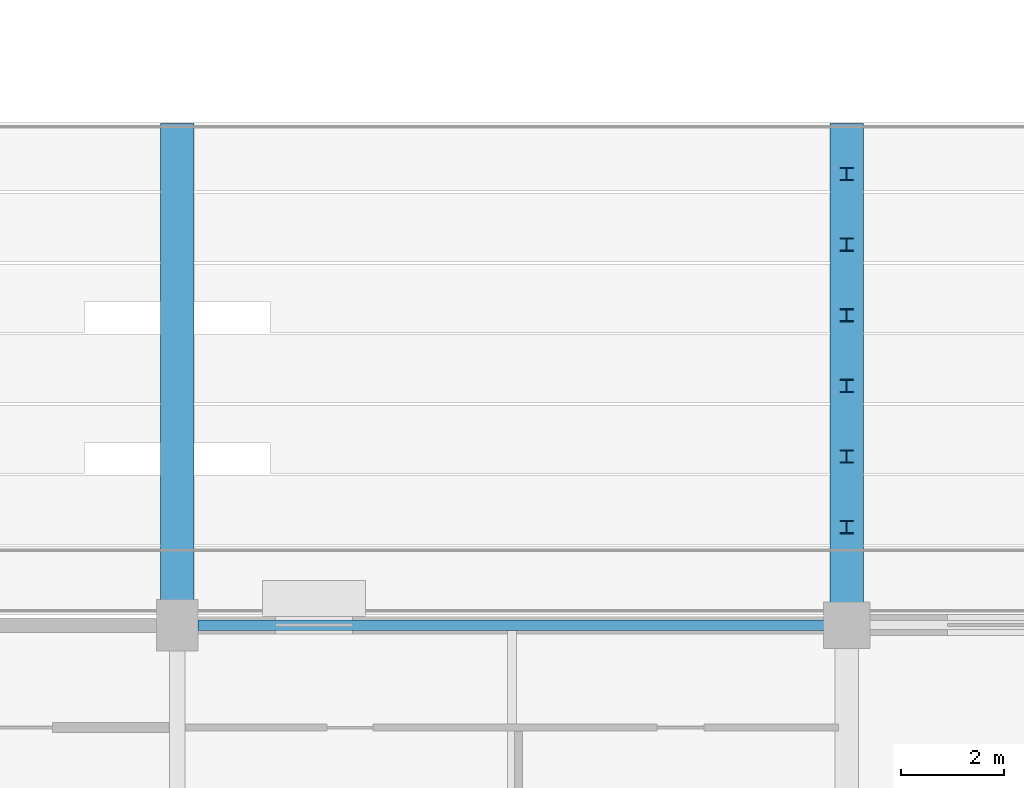
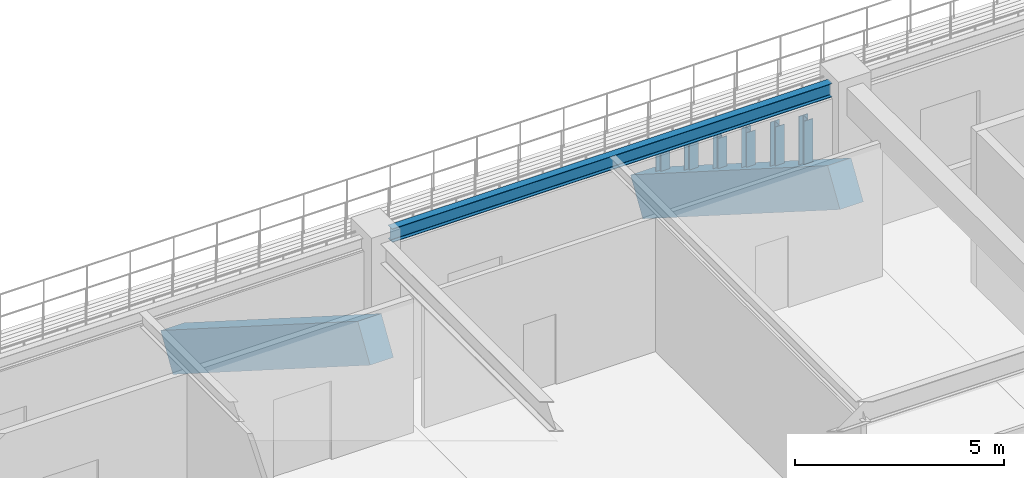
# One storey, part 17 of 134: 6 members, 3 beams.
"""IFC4 building model written with IfcOpenShell, lengths in metres."""

from ifc_helpers import new_model, si_unit, direction, frame, origin, origin_2d, place, context, subcontext, project, spatial, rectangle, i_section, extrude, material, material_profile, profile_set, type_object, element, save


model = new_model("IFC4")

# Units and contexts
model_context = context("Model", 3, precision=1e-05, world=origin(), true_north=direction((0.0, 1.0)))
body_context = subcontext(model_context, "Body", "Model", "MODEL_VIEW")
ifc_project = project(units=[si_unit("LENGTHUNIT", "METRE"), si_unit("AREAUNIT", "SQUARE_METRE"), si_unit("VOLUMEUNIT", "CUBIC_METRE"), si_unit("PLANEANGLEUNIT", "RADIAN"), si_unit("MASSUNIT", "GRAM", prefix="KILO")], contexts=[model_context])

# Site, building, storey
site_placement = place(None, origin())
site = spatial("IfcSite", under=ifc_project, at=site_placement, CompositionType="ELEMENT")
building_placement = place(site_placement, origin())
building = spatial("IfcBuilding", under=site, at=building_placement, Name="Kazenohara Klinker Stadium", CompositionType="ELEMENT")
storey_placement = place(building_placement, frame((0.0, 0.0, 5.39990234375)))
storey = spatial("IfcBuildingStorey", under=building, at=storey_placement, Name="L01", CompositionType="ELEMENT", Elevation=5.39990234375)

# Beam
ifc_material_1 = material(Name="Steel S355", Category="steel")
ifc_material_profile_1 = material_profile(ifc_material_1, i_section(OverallWidth=0.199951171875, OverallDepth=0.39990234375, WebThickness=0.008056640625, FlangeThickness=0.012939453125, FilletRadius=0.012939453125, at=origin_2d()), Name="H-400x200x8x13")
ifc_profile_set_1 = profile_set([ifc_material_profile_1], Name="Steel S355")
beam_type_1 = type_object("IfcBeamType", Name="BM-SPD01", PredefinedType="SPANDREL", material=ifc_profile_set_1)
beam_placement = place(storey_placement, frame((112.39990234375, 36.0, 4.35009765625), z_axis=(1.0, 0.0, 0.0), x_axis=(0.0, 1.0, 0.0)))
element("IfcBeam", 1, at=beam_placement, inside=storey, type_object=beam_type_1, Name="Primary girder SP01 L01 10-11/D", PredefinedType="SPANDREL", context=body_context, shape_type="SweptSolid", body=[
    extrude(i_section(OverallWidth=0.199951171875, OverallDepth=0.39990234375, WebThickness=0.008056640625, FlangeThickness=0.012939453125, FilletRadius=0.012939453125, at=origin_2d()), origin(), (0.0, 0.0, 1.0), 12.18017578125),
])

# Members
ifc_material_profile_2 = material_profile(ifc_material_1, i_section(OverallWidth=0.25, OverallDepth=0.25, WebThickness=0.009033203125, FlangeThickness=0.013916015625, FilletRadius=0.012939453125, at=origin_2d()), Name="H-250x250x9x14")
ifc_profile_set_2 = profile_set([ifc_material_profile_2], Name="Steel S355")
member_type = type_object("IfcMemberType", Name="MEM-STR02", PredefinedType="STRUT", material=ifc_profile_set_2)
member_1_placement = place(storey_placement, frame((125.0, 37.904296875, 0.407470703125), z_axis=(0.0, 0.0, 1.0), x_axis=(1.0, 0.0, 0.0)))
element("IfcMember", 2, at=member_1_placement, inside=storey, type_object=member_type, Name="Precast tier riser stool LOWER-S-02-10", PredefinedType="STRUT", context=body_context, shape_type="SweptSolid", body=[
    extrude(i_section(OverallWidth=0.25, OverallDepth=0.25, WebThickness=0.009033203125, FlangeThickness=0.013916015625, FilletRadius=0.012939453125, at=origin_2d()), origin(), (0.0, 0.0, 1.0), 1.78271484375),
])
member_2_placement = place(storey_placement, frame((125.0, 39.275634765625, -0.463134765625), z_axis=(0.0, 0.0, 1.0), x_axis=(1.0, 0.0, 0.0)))
element("IfcMember", 3, at=member_2_placement, inside=storey, type_object=member_type, Name="Precast tier riser stool LOWER-S-03-10", PredefinedType="STRUT", context=body_context, shape_type="SweptSolid", body=[
    extrude(i_section(OverallWidth=0.25, OverallDepth=0.25, WebThickness=0.009033203125, FlangeThickness=0.013916015625, FilletRadius=0.012939453125, at=origin_2d()), origin(), (0.0, 0.0, 1.0), 1.6533203125),
])
member_3_placement = place(storey_placement, frame((125.0, 40.647216796875, -1.333984375), z_axis=(0.0, 0.0, 1.0), x_axis=(1.0, 0.0, 0.0)))
element("IfcMember", 4, at=member_3_placement, inside=storey, type_object=member_type, Name="Precast tier riser stool LOWER-S-04-10", PredefinedType="STRUT", context=body_context, shape_type="SweptSolid", body=[
    extrude(i_section(OverallWidth=0.25, OverallDepth=0.25, WebThickness=0.009033203125, FlangeThickness=0.013916015625, FilletRadius=0.012939453125, at=origin_2d()), origin(), (0.0, 0.0, 1.0), 1.524169921875),
])
member_4_placement = place(storey_placement, frame((125.0, 42.0185546875, -2.20458984375), z_axis=(0.0, 0.0, 1.0), x_axis=(1.0, 0.0, 0.0)))
element("IfcMember", 5, at=member_4_placement, inside=storey, type_object=member_type, Name="Precast tier riser stool LOWER-S-05-10", PredefinedType="STRUT", context=body_context, shape_type="SweptSolid", body=[
    extrude(i_section(OverallWidth=0.25, OverallDepth=0.25, WebThickness=0.009033203125, FlangeThickness=0.013916015625, FilletRadius=0.012939453125, at=origin_2d()), origin(), (0.0, 0.0, 1.0), 1.394775390625),
])
member_5_placement = place(storey_placement, frame((125.0, 43.389892578125, -3.075439453125), z_axis=(0.0, 0.0, 1.0), x_axis=(1.0, 0.0, 0.0)))
element("IfcMember", 6, at=member_5_placement, inside=storey, type_object=member_type, Name="Precast tier riser stool LOWER-S-06-10", PredefinedType="STRUT", context=body_context, shape_type="SweptSolid", body=[
    extrude(i_section(OverallWidth=0.25, OverallDepth=0.25, WebThickness=0.009033203125, FlangeThickness=0.013916015625, FilletRadius=0.012939453125, at=origin_2d()), origin(), (0.0, 0.0, 1.0), 1.265625),
])
member_6_placement = place(storey_placement, frame((125.0, 44.761474609375, -3.9462890625), z_axis=(0.0, 0.0, 1.0), x_axis=(1.0, 0.0, 0.0)))
element("IfcMember", 7, at=member_6_placement, inside=storey, type_object=member_type, Name="Precast tier riser stool LOWER-S-07-10", PredefinedType="STRUT", context=body_context, shape_type="SweptSolid", body=[
    extrude(i_section(OverallWidth=0.25, OverallDepth=0.25, WebThickness=0.009033203125, FlangeThickness=0.013916015625, FilletRadius=0.012939453125, at=origin_2d()), origin(), (0.0, 0.0, 1.0), 1.136474609375),
])

# Beams
ifc_material_2 = material(Name="Precast concrete C50/60", Category="concrete")
ifc_material_profile_3 = material_profile(ifc_material_2, rectangle(XDim=0.64990234375, YDim=1.10009765625, at=origin_2d()), Name="PC-RAKER-650x1100")
ifc_profile_set_3 = profile_set([ifc_material_profile_3], Name="Precast concrete C50/60")
beam_type_2 = type_object("IfcBeamType", Name="RAKER-RK01", PredefinedType="USERDEFINED", material=ifc_profile_set_3)
for number, where, z_axis, x_axis, name in (
    (8, (112.0, 36.0, 1.401611328125), (0.0, 0.844211562005, -0.536010110518), (-1.0, 0.0, 0.0), "Precast bowl raker girder RK01 LOWER South 10"),
    (9, (125.0, 36.0, 1.401611328125), (0.0, 0.844211562005, -0.536010110518), (-1.0, 0.0, 0.0), "Precast bowl raker girder RK01 LOWER South 11"),
):
    element("IfcBeam", number, at=place(storey_placement, frame(where, z_axis=z_axis, x_axis=x_axis)), inside=storey, type_object=beam_type_2, Name=name, ObjectType="RAKER", PredefinedType="USERDEFINED", context=body_context, shape_type="SweptSolid", body=[
        extrude(rectangle(XDim=0.64990234375, YDim=1.10009765625, at=origin_2d()), origin(), (0.0, 0.0, 1.0), 11.19384765625),
    ])

save(model, "model.ifc")
